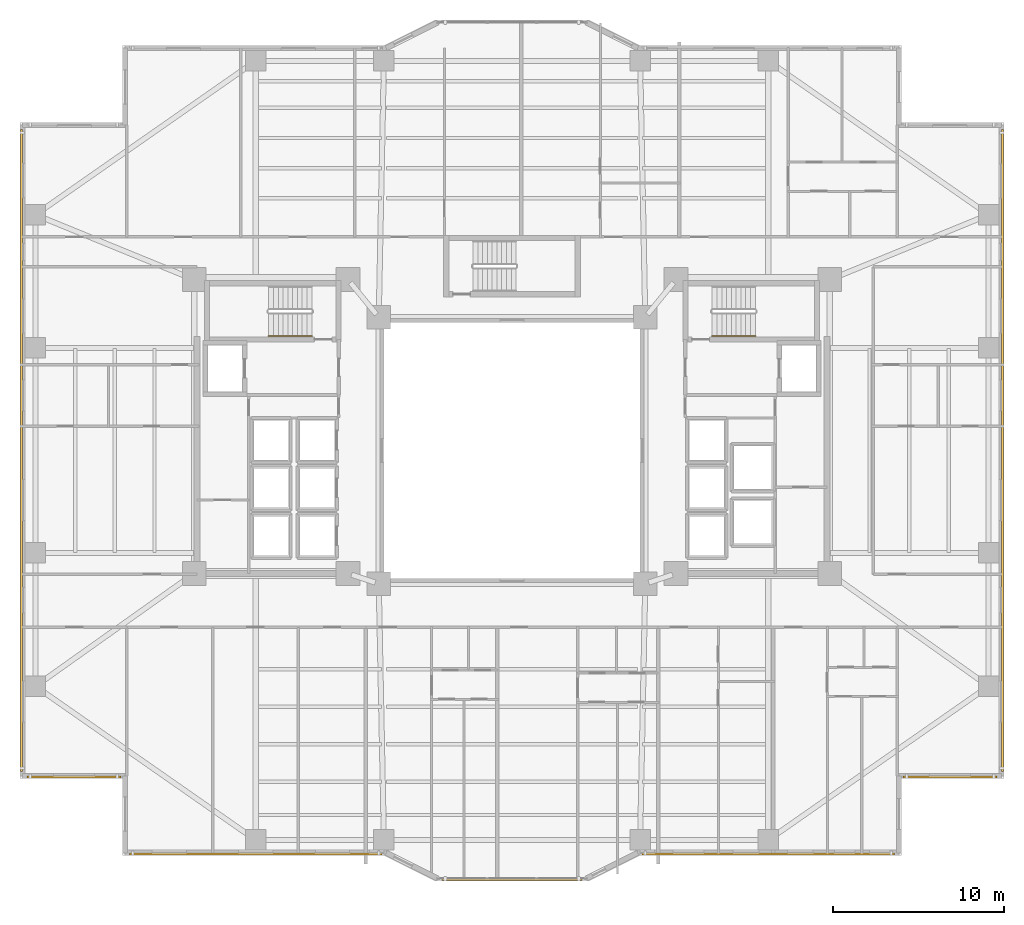
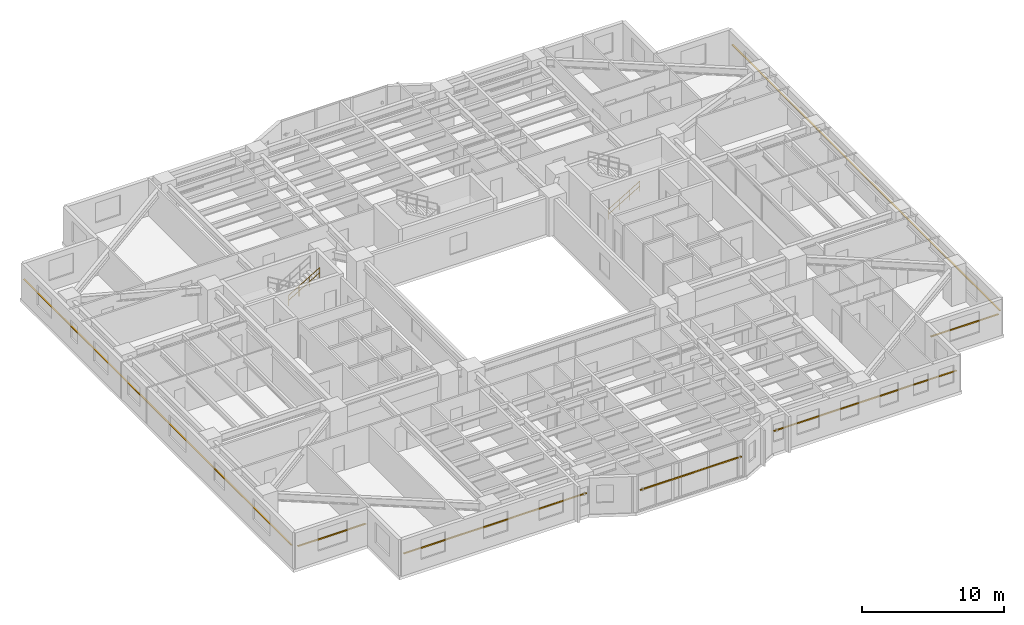
# One storey, part 19 of 21: 7 shading devices, 2 railings.
"""IFC4 building model written with IfcOpenShell, lengths in metres."""

import ifcopenshell
import ifcopenshell.guid

model = None  # the IFC model being written
_history = None  # IfcOwnerHistory: only IFC2X3 demands one
_inside = {}  # id of a spatial element -> (the spatial element, [elements in it])
_under = {}  # id of a project, library or spatial element -> (it, [spatial elements below it])
_declared = {}  # id of a project -> (the project, [libraries it declares])
_typed = {}  # id of a type object -> (the type object, [elements of that type])
_made_of = {}  # id of a material, layer set ... -> (it, [elements and type objects made of it])


def new_model(schema):
    """Start an empty IFC model of exactly this schema.

    Asked for "IFC4X3", IfcOpenShell would pick the latest addendum, in which some entities
    have other attributes; the version numbers below select the first issue.
    IFC2X3 requires an IfcOwnerHistory on every rooted entity: one is made here for all.
    """
    global model, _history
    if schema == "IFC4X3":
        model = ifcopenshell.file(schema_version=(4, 3, 0, 0))
    else:
        model = ifcopenshell.file(schema=schema)
    _inside.clear()
    _under.clear()
    _declared.clear()
    _typed.clear()
    _made_of.clear()
    _history = None
    if model.schema == "IFC2X3":
        org = make("IfcOrganization", Name="unknown")
        user = make(
            "IfcPersonAndOrganization",
            ThePerson=make("IfcPerson", FamilyName="unknown"),
            TheOrganization=org,
        )
        app = make(
            "IfcApplication",
            ApplicationDeveloper=org,
            Version="unknown",
            ApplicationFullName="unknown",
            ApplicationIdentifier="unknown",
        )
        _history = make(
            "IfcOwnerHistory",
            OwningUser=user,
            OwningApplication=app,
            ChangeAction="ADDED",
            CreationDate=0,
        )
    return model


def make(cls, **values):
    """One entity of the class cls with the attributes given. An attribute that is None is left unset."""
    return model.create_entity(
        cls, **{name: value for name, value in values.items() if value is not None}
    )


def rooted(cls, **values):
    """An entity with a GlobalId (a new one), such as an element, a storey or a relation."""
    return make(cls, GlobalId=ifcopenshell.guid.new(), OwnerHistory=_history, **values)


def si_unit(unit_type, name, prefix=None):
    """IfcSIUnit, for example si_unit("LENGTHUNIT", "METRE", prefix="MILLI")."""
    return make("IfcSIUnit", UnitType=unit_type, Prefix=prefix, Name=name)


def assignment(units):
    """IfcUnitAssignment: the units of a project."""
    return None if units is None else make("IfcUnitAssignment", Units=units)


def point(xyz):
    """IfcCartesianPoint."""
    return None if xyz is None else make("IfcCartesianPoint", Coordinates=xyz)


def direction(xyz):
    """IfcDirection."""
    return None if xyz is None else make("IfcDirection", DirectionRatios=xyz)


def frame(location, z_axis=None, x_axis=None):
    """IfcAxis2Placement3D, a coordinate frame: its origin and axes. An axis left out is left unset."""
    return make(
        "IfcAxis2Placement3D",
        Location=point(location),
        Axis=direction(z_axis),
        RefDirection=direction(x_axis),
    )


def frame_2d(location, x_axis=None):
    """IfcAxis2Placement2D, a coordinate frame in the plane: its origin and x axis."""
    return make(
        "IfcAxis2Placement2D", Location=point(location), RefDirection=direction(x_axis)
    )


def origin():
    """The frame at (0, 0, 0) with its axes left unset."""
    return frame((0.0, 0.0, 0.0))


def origin_2d():
    """The frame at (0, 0) in the plane with its x axis left unset."""
    return frame_2d((0.0, 0.0))


def place(relative_to, where):
    """IfcLocalPlacement: puts the frame where relative to a parent placement (None: the world)."""
    return make(
        "IfcLocalPlacement", PlacementRelTo=relative_to, RelativePlacement=where
    )


def context(
    kind, dimensions, precision=None, world=None, true_north=None, identifier=None
):
    """IfcGeometricRepresentationContext, for example the 3D "Model" context."""
    return make(
        "IfcGeometricRepresentationContext",
        ContextIdentifier=identifier,
        ContextType=kind,
        CoordinateSpaceDimension=dimensions,
        Precision=precision,
        WorldCoordinateSystem=world,
        TrueNorth=true_north,
    )


def subcontext(parent, identifier, kind, view, scale=None):
    """IfcGeometricRepresentationSubContext, for example "Body" below "Model"."""
    return make(
        "IfcGeometricRepresentationSubContext",
        ContextIdentifier=identifier,
        ContextType=kind,
        ParentContext=parent,
        TargetScale=scale,
        TargetView=view,
    )


def project(units=None, contexts=None):
    """IfcProject with its units and contexts."""
    return rooted(
        "IfcProject",
        Name="project",
        RepresentationContexts=contexts,
        UnitsInContext=assignment(units),
    )


def spatial(cls, under=None, at=None, **own):
    """A site, building, storey or space (cls), placed at a placement, below another one or the project."""
    s = rooted(cls, ObjectPlacement=at, **own)
    if under is not None:
        _under.setdefault(under.id(), (under, []))[1].append(s)
    return s


def profile(cls, at=None, kind="AREA", **sizes):
    """A parametric profile (cls). Its sizes go by their IFC names, for example OverallWidth=200.0."""
    return make(cls, ProfileType=kind, Position=at, **sizes)


def rectangle(**sizes):
    """IfcRectangleProfileDef."""
    return profile("IfcRectangleProfileDef", **sizes)


def circle(**sizes):
    """IfcCircleProfileDef."""
    return profile("IfcCircleProfileDef", **sizes)


def extrude(swept, where, along, depth):
    """IfcExtrudedAreaSolid: the profile swept, set in the frame where, extruded along a direction by depth."""
    return make(
        "IfcExtrudedAreaSolid",
        SweptArea=swept,
        Position=where,
        ExtrudedDirection=direction(along),
        Depth=depth,
    )


def shape(context_of_items, identifier, shape_type, items):
    """IfcShapeRepresentation: the items that make up one representation, for example the "Body"."""
    return make(
        "IfcShapeRepresentation",
        ContextOfItems=context_of_items,
        RepresentationIdentifier=identifier,
        RepresentationType=shape_type,
        Items=items,
    )


def material(Name=None, Category=None):
    """IfcMaterial."""
    return make("IfcMaterial", Name=Name, Category=Category)


def material_profile(
    of_material, cross_section, Name=None, Category=None, Priority=None
):
    """IfcMaterialProfile: a cross section and its material."""
    return make(
        "IfcMaterialProfile",
        Name=Name,
        Material=of_material,
        Profile=cross_section,
        Priority=Priority,
        Category=Category,
    )


def profile_set(profiles, Name=None, composite=None):
    """IfcMaterialProfileSet."""
    return make(
        "IfcMaterialProfileSet",
        Name=Name,
        MaterialProfiles=profiles,
        CompositeProfile=composite,
    )


def made_of(thing, what):
    """Note that an element or type object is made of a material, layer set ...; save() writes the relation."""
    if what is not None:
        _made_of.setdefault(what.id(), (what, []))[1].append(thing)
    return thing


def type_object(cls, material=None, **own):
    """A type object (cls), such as IfcWallType, which elements share."""
    return made_of(rooted(cls, **own), material)


def element(
    cls,
    number,
    at=None,
    inside=None,
    cuts=None,
    type_object=None,
    material=None,
    context=None,
    identifier="Body",
    shape_type=None,
    held_by="IfcProductDefinitionShape",
    body=None,
    shapes=None,
    **own,
):
    """One element of the class cls, such as IfcWall. Its Tag is "e" and its number.

    at: its placement. inside: the storey or other place that contains it. cuts: it is an
    opening in that element (IfcRelVoidsElement). A single representation is given by context,
    identifier, shape_type and body (its items); several are given by shapes. held_by: the class
    of the entity that holds the representations. save() writes the other relations.
    """
    e = rooted(cls, Tag="e%d" % number, ObjectPlacement=at, **own)
    if body is not None:
        shapes = [shape(context, identifier, shape_type, body)]
    if shapes is not None:
        e.Representation = make(held_by, Representations=shapes)
    if inside is not None:
        _inside.setdefault(inside.id(), (inside, []))[1].append(e)
    if cuts is not None:
        rooted(
            "IfcRelVoidsElement", RelatingBuildingElement=cuts, RelatedOpeningElement=e
        )
    if type_object is not None:
        _typed.setdefault(type_object.id(), (type_object, []))[1].append(e)
    return made_of(e, material)


def aggregate(whole, parts):
    """IfcRelAggregates: a whole, such as a stair, and the parts it consists of."""
    return rooted("IfcRelAggregates", RelatingObject=whole, RelatedObjects=parts)


def save(model, path):
    """Write the relations noted so far, then the file.

    IfcRelAggregates (storeys below a building ...), IfcRelContainedInSpatialStructure (elements
    in a storey), IfcRelDefinesByType, IfcRelAssociatesMaterial and IfcRelDeclares: one each for
    every whole, place, type object, material and project.
    """
    for whole, parts in _under.values():
        aggregate(whole, parts)
    for where, things in _inside.values():
        rooted(
            "IfcRelContainedInSpatialStructure",
            RelatedElements=things,
            RelatingStructure=where,
        )
    for kind, things in _typed.values():
        rooted("IfcRelDefinesByType", RelatedObjects=things, RelatingType=kind)
    for what, things in _made_of.values():
        rooted("IfcRelAssociatesMaterial", RelatedObjects=things, RelatingMaterial=what)
    for by, libraries in _declared.values():
        rooted("IfcRelDeclares", RelatingContext=by, RelatedDefinitions=libraries)
    model.write(path)


model = new_model("IFC4")

# Units and contexts
model_context = context("Model", 3, precision=1e-05, world=origin(), true_north=direction((0.0, 1.0)))
body_context = subcontext(model_context, "Body", "Model", "MODEL_VIEW")
ifc_project = project(units=[si_unit("LENGTHUNIT", "METRE"), si_unit("AREAUNIT", "SQUARE_METRE"), si_unit("VOLUMEUNIT", "CUBIC_METRE"), si_unit("PLANEANGLEUNIT", "RADIAN"), si_unit("MASSUNIT", "GRAM", prefix="KILO")], contexts=[model_context])

# Site, building, storey
site_placement = place(None, origin())
site = spatial("IfcSite", under=ifc_project, at=site_placement, CompositionType="ELEMENT")
building_placement = place(site_placement, origin())
building = spatial("IfcBuilding", under=site, at=building_placement, Name="Tarnavaz Court Tower", CompositionType="ELEMENT")
storey_placement = place(building_placement, frame((0.0, 0.0, 44.10009765625)))
storey = spatial("IfcBuildingStorey", under=building, at=storey_placement, Name="L11", CompositionType="ELEMENT", Elevation=44.10009765625)

# Railings
ifc_material_1 = material(Name="Brushed Stainless Steel", Category="steel")
railing_type = type_object("IfcRailingType", Name="RL-HANDRAIL-900", PredefinedType="HANDRAIL", material=ifc_material_1)
railing_1_placement = place(storey_placement, frame((-14.239990234375, 6.699951171875, 1.84228515625)))
element("IfcRailing", 1, at=railing_1_placement, inside=storey, type_object=railing_type, Name="L11 ST-W1 stair handrail 2", PredefinedType="HANDRAIL", context=body_context, shape_type="SweptSolid", body=[
    extrude(circle(Radius=0.02392578125, at=origin_2d()), frame((0.0, 0.0, 0.8759765625), z_axis=(0.858159760407, 0.0, 0.513382728203), x_axis=(0.0, 1.0, 0.0)), (0.0, 0.0, 1.0), 2.9365234375),
    extrude(circle(Radius=0.02392578125, at=origin_2d()), frame((0.0, 0.0, 0.449951171875), z_axis=(0.858159760407, 0.0, 0.513382728203), x_axis=(0.0, 1.0, 0.0)), (0.0, 0.0, 1.0), 2.9365234375),
    extrude(circle(Radius=0.02099609375, at=origin_2d()), origin(), (0.0, 0.0, 1.0), 0.851806640625),
    extrude(circle(Radius=0.02099609375, at=origin_2d()), frame((0.840087890625, 0.0, 0.50244140625)), (0.0, 0.0, 1.0), 0.851806640625),
    extrude(circle(Radius=0.02099609375, at=origin_2d()), frame((1.679931640625, 0.0, 1.005126953125)), (0.0, 0.0, 1.0), 0.851806640625),
    extrude(circle(Radius=0.02099609375, at=origin_2d()), frame((2.52001953125, 0.0, 1.507568359375)), (0.0, 0.0, 1.0), 0.851806640625),
])
railing_2_placement = place(storey_placement, frame((11.719970703125, 6.699951171875, 0.16748046875)))
element("IfcRailing", 2, at=railing_2_placement, inside=storey, type_object=railing_type, Name="L11 ST-E1 stair handrail 1", PredefinedType="HANDRAIL", context=body_context, shape_type="SweptSolid", body=[
    extrude(circle(Radius=0.02392578125, at=origin_2d()), frame((0.0, 0.0, 0.8759765625), z_axis=(0.858196387827, 0.0, 0.513321497621), x_axis=(0.0, 1.0, 0.0)), (0.0, 0.0, 1.0), 2.9365234375),
    extrude(circle(Radius=0.02392578125, at=origin_2d()), frame((0.0, 0.0, 0.449951171875), z_axis=(0.858196387827, 0.0, 0.513321497621), x_axis=(0.0, 1.0, 0.0)), (0.0, 0.0, 1.0), 2.9365234375),
    extrude(circle(Radius=0.02099609375, at=origin_2d()), origin(), (0.0, 0.0, 1.0), 0.851806640625),
    extrude(circle(Radius=0.02099609375, at=origin_2d()), frame((0.840087890625, 0.0, 0.50244140625)), (0.0, 0.0, 1.0), 0.851806640625),
    extrude(circle(Radius=0.02099609375, at=origin_2d()), frame((1.679931640625, 0.0, 1.0048828125)), (0.0, 0.0, 1.0), 0.851806640625),
    extrude(circle(Radius=0.02099609375, at=origin_2d()), frame((2.52001953125, 0.0, 1.50732421875)), (0.0, 0.0, 1.0), 0.851806640625),
])

# Shading devices
ifc_material_2 = material(Name="Kiln-Fired Khorasan Terracotta Ceramic", Category="masonry")
ifc_material_profile = material_profile(ifc_material_2, rectangle(XDim=0.1201171875, YDim=0.06005859375, at=origin_2d()), Name="TC BAGUETTE 120X60")
ifc_profile_set = profile_set([ifc_material_profile], Name="Kiln-Fired Khorasan Terracotta Ceramic")
shading_device_type = type_object("IfcShadingDeviceType", Name="SD-BAG-120", PredefinedType="USERDEFINED", material=ifc_profile_set)
shading_device_1_placement = place(storey_placement, frame((-22.89990234375, -19.110107421875, 1.849853515625), z_axis=(-1.0, 0.0, 0.0), x_axis=(0.0, -1.0, 0.0)))
element("IfcShadingDevice", 3, at=shading_device_1_placement, inside=storey, type_object=shading_device_type, Name="L11 Terracotta Baguette Screen FBG01", ObjectType="BAGUETTE", PredefinedType="USERDEFINED", context=body_context, shape_type="SweptSolid", body=[
    extrude(rectangle(XDim=0.1201171875, YDim=0.06005859375, at=origin_2d()), origin(), (0.0, 0.0, 1.0), 5.5),
])
for number, where, z_axis, x_axis, name in (
    (4, (-28.7099609375, -18.800048828125, 1.849853515625), (0.0, 1.0, 0.0), (-1.0, 0.0, 0.0), "L11 Terracotta Baguette Screen FBG02"),
    (5, (28.7099609375, 18.800048828125, 1.849853515625), (0.0, -1.0, 0.0), (1.0, 0.0, 0.0), "L11 Terracotta Baguette Screen FBG12"),
):
    element("IfcShadingDevice", number, at=place(storey_placement, frame(where, z_axis=z_axis, x_axis=x_axis)), inside=storey, type_object=shading_device_type, Name=name, ObjectType="BAGUETTE", PredefinedType="USERDEFINED", context=body_context, shape_type="SweptSolid", body=[
        extrude(rectangle(XDim=0.1201171875, YDim=0.06005859375, at=origin_2d()), origin(), (0.0, 0.0, 1.0), 37.60009765625),
    ])
shading_device_2_placement = place(storey_placement, frame((28.39990234375, -19.110107421875, 1.849853515625), z_axis=(-1.0, 0.0, 0.0), x_axis=(0.0, -1.0, 0.0)))
element("IfcShadingDevice", 6, at=shading_device_2_placement, inside=storey, type_object=shading_device_type, Name="L11 Terracotta Baguette Screen FBG13", ObjectType="BAGUETTE", PredefinedType="USERDEFINED", context=body_context, shape_type="SweptSolid", body=[
    extrude(rectangle(XDim=0.1201171875, YDim=0.06005859375, at=origin_2d()), origin(), (0.0, 0.0, 1.0), 5.5),
])
shading_device_3_placement = place(storey_placement, frame((22.39990234375, -23.610107421875, 1.849853515625), z_axis=(-1.0, 0.0, 0.0), x_axis=(0.0, -1.0, 0.0)))
element("IfcShadingDevice", 7, at=shading_device_3_placement, inside=storey, type_object=shading_device_type, Name="L11 Terracotta Baguette Screen FBG15", ObjectType="BAGUETTE", PredefinedType="USERDEFINED", context=body_context, shape_type="SweptSolid", body=[
    extrude(rectangle(XDim=0.1201171875, YDim=0.06005859375, at=origin_2d()), origin(), (0.0, 0.0, 1.0), 14.7998046875),
])
shading_device_4_placement = place(storey_placement, frame((4.10009765625, -25.110107421875, 1.7998046875), z_axis=(-1.0, 0.0, 0.0), x_axis=(0.0, -1.0, 0.0)))
element("IfcShadingDevice", 8, at=shading_device_4_placement, inside=storey, type_object=shading_device_type, Name="L11 Terracotta Baguette Screen PBG17", ObjectType="BAGUETTE", PredefinedType="USERDEFINED", context=body_context, shape_type="SweptSolid", body=[
    extrude(rectangle(XDim=0.1201171875, YDim=0.06005859375, at=origin_2d()), origin(), (0.0, 0.0, 1.0), 8.2001953125),
])
shading_device_5_placement = place(storey_placement, frame((-7.60009765625, -23.610107421875, 1.849853515625), z_axis=(-1.0, 0.0, 0.0), x_axis=(0.0, -1.0, 0.0)))
element("IfcShadingDevice", 9, at=shading_device_5_placement, inside=storey, type_object=shading_device_type, Name="L11 Terracotta Baguette Screen FBG19", ObjectType="BAGUETTE", PredefinedType="USERDEFINED", context=body_context, shape_type="SweptSolid", body=[
    extrude(rectangle(XDim=0.1201171875, YDim=0.06005859375, at=origin_2d()), origin(), (0.0, 0.0, 1.0), 14.7998046875),
])

save(model, "model.ifc")
